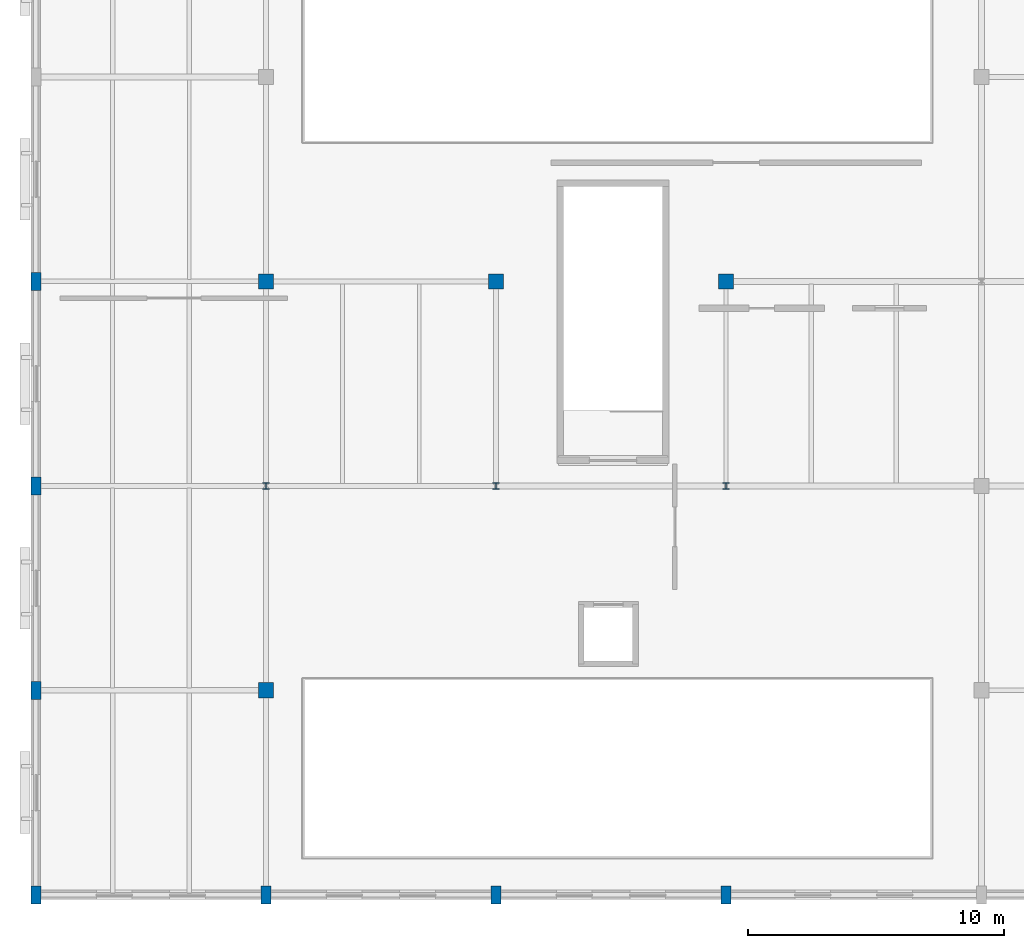
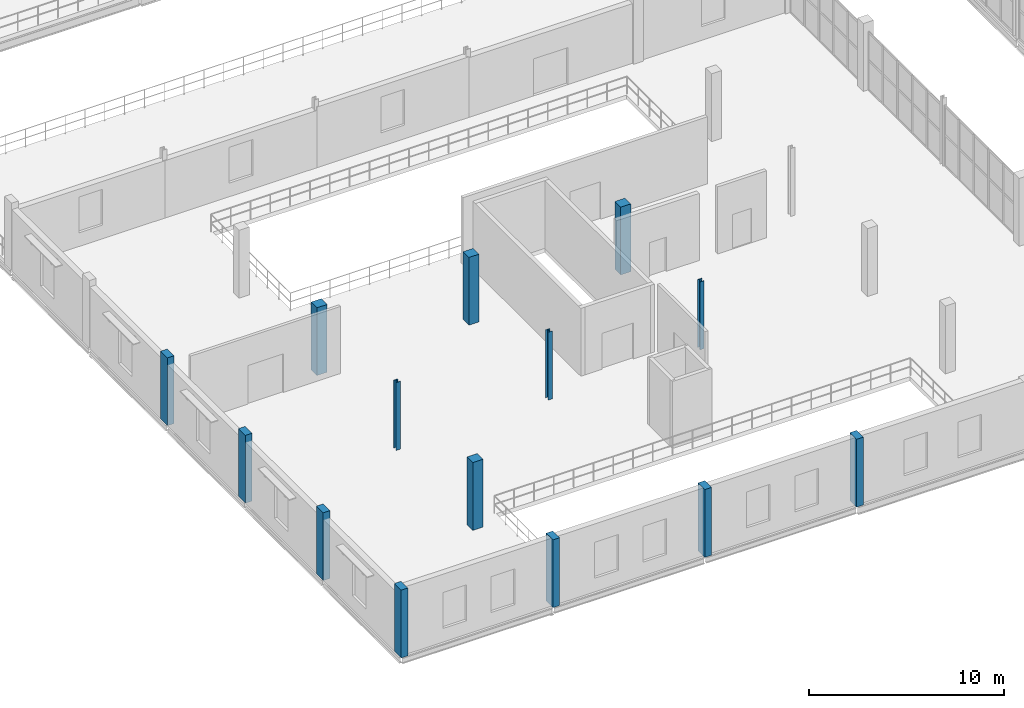
# One storey, part 1 of 73: 14 columns.
"""IFC4 building model written with IfcOpenShell, lengths in metres."""

from ifc_helpers import new_model, si_unit, direction, frame, origin, origin_2d, place, context, subcontext, project, spatial, rectangle, i_section, extrude, material, material_profile, profile_set, type_object, element, save


model = new_model("IFC4")

# Units and contexts
model_context = context("Model", 3, precision=1e-05, world=origin(), true_north=direction((0.0, 1.0)))
body_context = subcontext(model_context, "Body", "Model", "MODEL_VIEW")
ifc_project = project(units=[si_unit("LENGTHUNIT", "METRE"), si_unit("AREAUNIT", "SQUARE_METRE"), si_unit("VOLUMEUNIT", "CUBIC_METRE"), si_unit("PLANEANGLEUNIT", "RADIAN"), si_unit("MASSUNIT", "GRAM", prefix="KILO")], contexts=[model_context])

# Site, building, storey
site_placement = place(None, origin())
site = spatial("IfcSite", under=ifc_project, at=site_placement, CompositionType="ELEMENT")
building_placement = place(site_placement, origin())
building = spatial("IfcBuilding", under=site, at=building_placement, Name="Marnock Terrace Opera House", CompositionType="ELEMENT")
storey_placement = place(building_placement, frame((0.0, 0.0, 14.699951171875)))
storey = spatial("IfcBuildingStorey", under=building, at=storey_placement, Name="L03", CompositionType="ELEMENT", Elevation=14.699951171875)

# Columns
ifc_material_1 = material(Name="Concrete N40 (f'c = 40 MPa)", Category="concrete")
ifc_material_profile_1 = material_profile(ifc_material_1, rectangle(XDim=0.39990234375, YDim=0.699951171875, at=origin_2d()))
ifc_profile_set_1 = profile_set([ifc_material_profile_1], Name="Concrete N40 (f'c = 40 MPa)")
column_type_1 = type_object("IfcColumnType", Name="COL-PIL-700", PredefinedType="PILASTER", material=ifc_profile_set_1)
for number, where, z_axis, x_axis, name in (
    (1, (0.0, 8.0, 0.0), (0.0, 0.0, 1.0), (1.0, 0.0, 0.0), "L03 column at (0.0, 8.0)"),
    (2, (0.0, 16.0, 0.0), (0.0, 0.0, 1.0), (1.0, 0.0, 0.0), "L03 column at (0.0, 16.0)"),
    (3, (0.0, 24.0, 0.0), (0.0, 0.0, 1.0), (1.0, 0.0, 0.0), "L03 column at (0.0, 24.0)"),
    (4, (0.0, 32.0, 0.0), (0.0, 0.0, 1.0), (1.0, 0.0, 0.0), "L03 column at (0.0, 32.0)"),
    (5, (9.0, 8.0, 0.0), (0.0, 0.0, 1.0), (1.0, 0.0, 0.0), "L03 column at (9.0, 8.0)"),
    (6, (18.0, 8.0, 0.0), (0.0, 0.0, 1.0), (1.0, 0.0, 0.0), "L03 column at (18.0, 8.0)"),
    (7, (27.0, 8.0, 0.0), (0.0, 0.0, 1.0), (1.0, 0.0, 0.0), "L03 column at (27.0, 8.0)"),
):
    element("IfcColumn", number, at=place(storey_placement, frame(where, z_axis=z_axis, x_axis=x_axis)), inside=storey, type_object=column_type_1, Name=name, PredefinedType="PILASTER", context=body_context, shape_type="SweptSolid", body=[
        extrude(rectangle(XDim=0.39990234375, YDim=0.699951171875, at=origin_2d()), origin(), (0.0, 0.0, 1.0), 4.25),
    ])
ifc_material_profile_2 = material_profile(ifc_material_1, rectangle(XDim=0.60009765625, YDim=0.60009765625, at=origin_2d()))
ifc_profile_set_2 = profile_set([ifc_material_profile_2], Name="Concrete N40 (f'c = 40 MPa)")
column_type_2 = type_object("IfcColumnType", Name="COL-RC600", PredefinedType="COLUMN", material=ifc_profile_set_2)
for number, where, z_axis, x_axis, name in (
    (8, (9.0, 16.0, 0.0), (0.0, 0.0, 1.0), (1.0, 0.0, 0.0), "L03 column at (9.0, 16.0)"),
    (9, (9.0, 32.0, 0.0), (0.0, 0.0, 1.0), (1.0, 0.0, 0.0), "L03 column at (9.0, 32.0)"),
    (10, (18.0, 32.0, 0.0), (0.0, 0.0, 1.0), (1.0, 0.0, 0.0), "L03 column at (18.0, 32.0)"),
    (11, (27.0, 32.0, 0.0), (0.0, 0.0, 1.0), (1.0, 0.0, 0.0), "L03 column at (27.0, 32.0)"),
):
    element("IfcColumn", number, at=place(storey_placement, frame(where, z_axis=z_axis, x_axis=x_axis)), inside=storey, type_object=column_type_2, Name=name, PredefinedType="COLUMN", context=body_context, shape_type="SweptSolid", body=[
        extrude(rectangle(XDim=0.60009765625, YDim=0.60009765625, at=origin_2d()), origin(), (0.0, 0.0, 1.0), 4.25),
    ])
ifc_material_2 = material(Name="Steel Grade 350 (AS/NZS 3679.1)", Category="steel")
ifc_material_profile_3 = material_profile(ifc_material_2, i_section(OverallWidth=0.256103515625, OverallDepth=0.260009765625, WebThickness=0.010498046875, FlangeThickness=0.017333984375, FilletRadius=0.013916015625, at=origin_2d()))
ifc_profile_set_3 = profile_set([ifc_material_profile_3], Name="Steel Grade 350 (AS/NZS 3679.1)")
column_type_3 = type_object("IfcColumnType", Name="COL-UC250", PredefinedType="COLUMN", material=ifc_profile_set_3)
for number, where, z_axis, x_axis, name in (
    (12, (9.0, 24.0, 0.0), (0.0, 0.0, 1.0), (1.0, 0.0, 0.0), "L03 column at (9.0, 24.0)"),
    (13, (18.0, 24.0, 0.0), (0.0, 0.0, 1.0), (1.0, 0.0, 0.0), "L03 column at (18.0, 24.0)"),
    (14, (27.0, 24.0, 0.0), (0.0, 0.0, 1.0), (1.0, 0.0, 0.0), "L03 column at (27.0, 24.0)"),
):
    element("IfcColumn", number, at=place(storey_placement, frame(where, z_axis=z_axis, x_axis=x_axis)), inside=storey, type_object=column_type_3, Name=name, PredefinedType="COLUMN", context=body_context, shape_type="SweptSolid", body=[
        extrude(i_section(OverallWidth=0.256103515625, OverallDepth=0.260009765625, WebThickness=0.010498046875, FlangeThickness=0.017333984375, FilletRadius=0.013916015625, at=origin_2d()), origin(), (0.0, 0.0, 1.0), 4.25),
    ])

save(model, "model.ifc")
